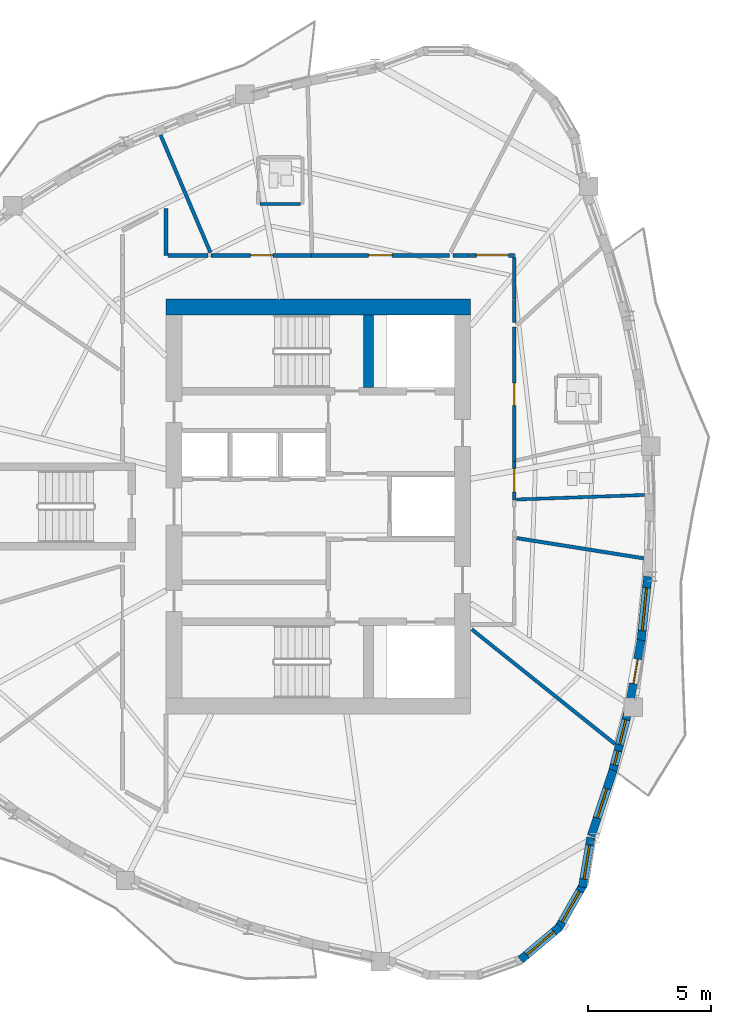
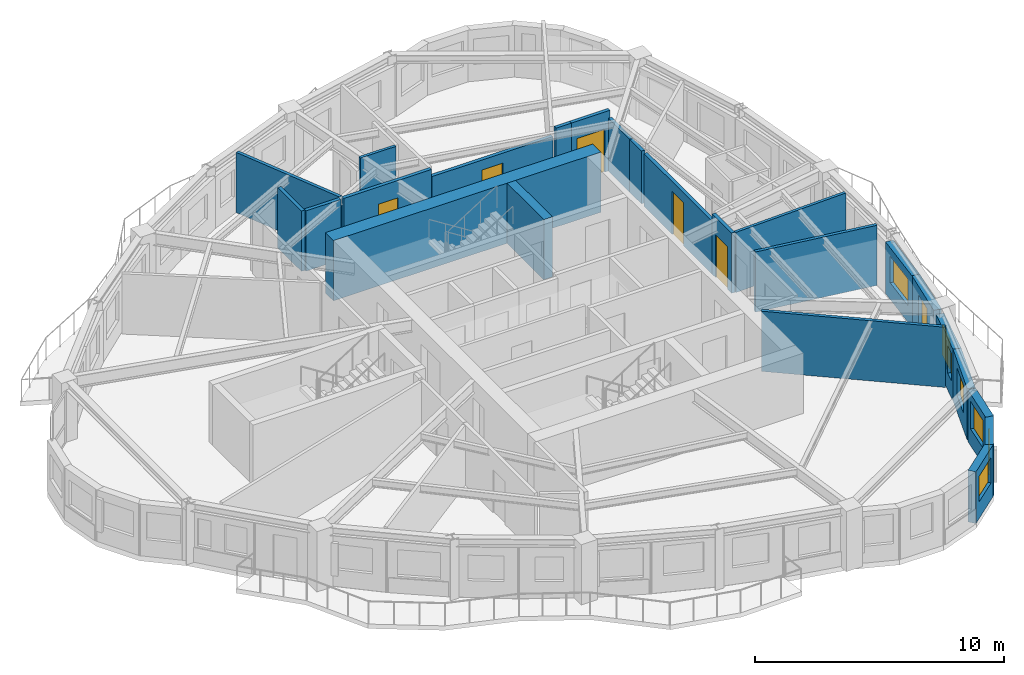
# One storey, part 7 of 13: 24 walls, 7 windows, 6 doors, 13 openings.
"""IFC4 building model written with IfcOpenShell, lengths in metres."""

from ifc_helpers import new_model, si_unit, direction, frame, frame_2d, origin, place, context, subcontext, project, spatial, rectangle, extrude, source, transform, mapped, material, layer, layer_set, type_object, element, fill, save


model = new_model("IFC4")

# Units and contexts
model_context = context("Model", 3, precision=1e-05, world=origin(), true_north=direction((0.0, 1.0)))
body_context = subcontext(model_context, "Body", "Model", "MODEL_VIEW")
ifc_project = project(units=[si_unit("LENGTHUNIT", "METRE"), si_unit("AREAUNIT", "SQUARE_METRE"), si_unit("VOLUMEUNIT", "CUBIC_METRE"), si_unit("PLANEANGLEUNIT", "RADIAN"), si_unit("MASSUNIT", "GRAM", prefix="KILO")], contexts=[model_context])

# Site, building, storey
site_placement = place(None, origin())
site = spatial("IfcSite", under=ifc_project, at=site_placement, CompositionType="ELEMENT")
building_placement = place(site_placement, origin())
building = spatial("IfcBuilding", under=site, at=building_placement, Name="Qafzar Sky-Pleat Residences", CompositionType="ELEMENT")
storey_placement = place(building_placement, frame((0.0, 0.0, 136.199951171875)))
storey = spatial("IfcBuildingStorey", under=building, at=storey_placement, Name="L40", CompositionType="ELEMENT", Elevation=136.199951171875)

# Wall, opening, door
ifc_material_1 = material(Name="Acoustic gypsum plasterboard partition", Category="gypsum")
ifc_layer_1 = layer(ifc_material_1, 0.159912109375)
ifc_layer_set_1 = layer_set([ifc_layer_1], Name="Acoustic gypsum plasterboard partition")
wall_type_1 = type_object("IfcWallType", Name="PART-COR-160", PredefinedType="PARTITIONING", material=ifc_layer_set_1)
wall_1_placement = place(storey_placement, frame((30.077880859375, 36.22998046875, 0.0), z_axis=(0.0, 0.0, 1.0), x_axis=(1.0, 0.0, 0.0)))
wall_1 = element("IfcWall", 1, at=wall_1_placement, inside=storey, type_object=wall_type_1, Name="L40 Partition Wall PART-L40-PW-002", PredefinedType="PARTITIONING", context=body_context, shape_type="SweptSolid", body=[
    extrude(rectangle(XDim=5.608154296875, YDim=0.159912109375, at=frame_2d((2.80419921875, 0.0))), origin(), (0.0, 0.0, 1.0), 2.588134765625),
])
opening_1_placement = place(wall_1_placement, frame((2.322998046875, 0.0, 0.0)))
opening_1 = element("IfcOpeningElement", 2, at=opening_1_placement, cuts=wall_1, Name="Opening ID-06", PredefinedType="OPENING", context=body_context, shape_type="SweptSolid", body=[
    extrude(rectangle(XDim=0.9599609375, YDim=2.10009765625, at=frame_2d((0.47998046875, 1.050048828125))), frame((0.0, 0.08984375, 0.0), z_axis=(0.0, -1.0, 0.0), x_axis=(1.0, 0.0, 0.0)), (0.0, 0.0, 1.0), 0.179931640625),
])
ifc_material_2 = material(Name="Timber-faced fire door", Category="wood")
door_type_1 = type_object("IfcDoorType", Name="DR-STD-960", OperationType="NOTDEFINED", PredefinedType="DOOR", material=ifc_material_2)
shared_shape_1 = source(origin(), body_context, "Body", "SweptSolid", [
    extrude(rectangle(XDim=0.9599609375, YDim=2.10009765625, at=frame_2d((0.47998046875, 1.050048828125))), frame((0.0, 0.02490234375, 0.0), z_axis=(0.0, -1.0, 0.0), x_axis=(1.0, 0.0, 0.0)), (0.0, 0.0, 1.0), 0.050048828125),
])
door_1_placement = place(opening_1_placement, origin())
door_1 = element("IfcDoor", 3, at=door_1_placement, inside=storey, type_object=door_type_1, Name="L40 Reading Library Door", OperationType="SINGLE_SWING_LEFT", OverallHeight=2.10009765625, OverallWidth=0.9599609375, PredefinedType="DOOR", context=body_context, shape_type="MappedRepresentation", body=[
    mapped(shared_shape_1, transform((0.0, 0.0, 0.0), x_axis=(1.0, 0.0, 0.0), y_axis=(0.0, 1.0, 0.0), z_axis=(0.0, 0.0, 1.0), scale=1.0)),
])
fill(opening_1, door_1)

wall_2_placement = place(storey_placement, frame((38.330078125, 33.302001953125, 0.0), z_axis=(0.0, 0.0, 1.0), x_axis=(0.0, -1.0, 0.0)))
wall_2 = element("IfcWall", 4, at=wall_2_placement, inside=storey, type_object=wall_type_1, Name="L40 Partition Wall PART-L40-PW-003", PredefinedType="PARTITIONING", context=body_context, shape_type="SweptSolid", body=[
    extrude(rectangle(XDim=5.4619140625, YDim=0.159912109375, at=frame_2d((2.73095703125, 0.0))), origin(), (0.0, 0.0, 1.0), 2.588134765625),
])
opening_2_placement = place(wall_2_placement, frame((2.27294921875, 0.0, 0.0)))
opening_2 = element("IfcOpeningElement", 5, at=opening_2_placement, cuts=wall_2, Name="Opening ID-04", PredefinedType="OPENING", context=body_context, shape_type="SweptSolid", body=[
    extrude(rectangle(XDim=0.919921875, YDim=2.10009765625, at=frame_2d((0.4599609375, 1.050048828125))), frame((0.0, 0.08984375, 0.0), z_axis=(0.0, -1.0, 0.0), x_axis=(1.0, 0.0, 0.0)), (0.0, 0.0, 1.0), 0.179931640625),
])
door_type_2 = type_object("IfcDoorType", Name="DR-BED-920", OperationType="NOTDEFINED", PredefinedType="DOOR", material=ifc_material_2)
shared_shape_2 = source(origin(), body_context, "Body", "SweptSolid", [
    extrude(rectangle(XDim=0.919921875, YDim=2.10009765625, at=frame_2d((0.4599609375, 1.050048828125))), frame((0.0, 0.02490234375, 0.0), z_axis=(0.0, -1.0, 0.0), x_axis=(1.0, 0.0, 0.0)), (0.0, 0.0, 1.0), 0.050048828125),
])
door_2_placement = place(opening_2_placement, origin())
door_2 = element("IfcDoor", 6, at=door_2_placement, inside=storey, type_object=door_type_2, Name="L40 Co-Living Bedroom 1 Door", OperationType="SINGLE_SWING_RIGHT", OverallHeight=2.10009765625, OverallWidth=0.919921875, PredefinedType="DOOR", context=body_context, shape_type="MappedRepresentation", body=[
    mapped(shared_shape_2, transform((0.0, 0.0, 0.0), x_axis=(1.0, 0.0, 0.0), y_axis=(0.0, 1.0, 0.0), z_axis=(0.0, 0.0, 1.0), scale=1.0)),
])
fill(opening_2, door_2)

wall_3_placement = place(storey_placement, frame((25.989990234375, 36.22998046875, 0.0), z_axis=(0.0, 0.0, 1.0), x_axis=(1.0, 0.0, 0.0)))
wall_3 = element("IfcWall", 7, at=wall_3_placement, inside=storey, type_object=wall_type_1, Name="L40 Partition Wall PART-L40-PW-004", PredefinedType="PARTITIONING", context=body_context, shape_type="SweptSolid", body=[
    extrude(rectangle(XDim=4.072998046875, YDim=0.159912109375, at=frame_2d((2.03662109375, 0.0))), origin(), (0.0, 0.0, 1.0), 2.949951171875),
])
opening_3_placement = place(wall_3_placement, frame((1.599609375, 0.0, 0.0)))
opening_3 = element("IfcOpeningElement", 8, at=opening_3_placement, cuts=wall_3, Name="Opening ID-04", PredefinedType="OPENING", context=body_context, shape_type="SweptSolid", body=[
    extrude(rectangle(XDim=0.919921875, YDim=2.10009765625, at=frame_2d((0.4599609375, 1.050048828125))), frame((0.0, 0.08984375, 0.0), z_axis=(0.0, -1.0, 0.0), x_axis=(1.0, 0.0, 0.0)), (0.0, 0.0, 1.0), 0.179931640625),
])
door_3_placement = place(opening_3_placement, origin())
door_3 = element("IfcDoor", 9, at=door_3_placement, inside=storey, type_object=door_type_2, Name="L40 Co-Living Bedroom 2 Door", OperationType="SINGLE_SWING_LEFT", OverallHeight=2.10009765625, OverallWidth=0.919921875, PredefinedType="DOOR", context=body_context, shape_type="MappedRepresentation", body=[
    mapped(shared_shape_2, transform((0.0, 0.0, 0.0), x_axis=(1.0, 0.0, 0.0), y_axis=(0.0, 1.0, 0.0), z_axis=(0.0, 0.0, 1.0), scale=1.0)),
])
fill(opening_3, door_3)

wall_4_placement = place(storey_placement, frame((36.550048828125, 36.22998046875, 0.0), z_axis=(0.0, 0.0, 1.0), x_axis=(1.0, 0.0, 0.0)))
wall_4 = element("IfcWall", 10, at=wall_4_placement, inside=storey, type_object=wall_type_1, Name="L40 Partition Wall PART-L40-PW-011", PredefinedType="PARTITIONING", context=body_context, shape_type="SweptSolid", body=[
    extrude(rectangle(XDim=1.780029296875, YDim=0.159912109375, at=frame_2d((0.89013671875, 0.0))), origin(), (0.0, 0.0, 1.0), 2.949951171875),
])
opening_4_placement = place(wall_4_placement, frame((0.239990234375, 0.0, 0.0)))
opening_4 = element("IfcOpeningElement", 11, at=opening_4_placement, cuts=wall_4, Name="Opening ID-05", PredefinedType="OPENING", context=body_context, shape_type="SweptSolid", body=[
    extrude(rectangle(XDim=1.300048828125, YDim=2.10009765625, at=frame_2d((0.64990234375, 1.050048828125))), frame((0.0, 0.08984375, 0.0), z_axis=(0.0, -1.0, 0.0), x_axis=(1.0, 0.0, 0.0)), (0.0, 0.0, 1.0), 0.179931640625),
])
door_type_3 = type_object("IfcDoorType", Name="DR-LNG-1300", OperationType="DOUBLE_DOOR_SINGLE_SWING", PredefinedType="DOOR", material=ifc_material_2)
shared_shape_3 = source(origin(), body_context, "Body", "SweptSolid", [
    extrude(rectangle(XDim=1.300048828125, YDim=2.10009765625, at=frame_2d((0.64990234375, 1.050048828125))), frame((0.0, 0.02490234375, 0.0), z_axis=(0.0, -1.0, 0.0), x_axis=(1.0, 0.0, 0.0)), (0.0, 0.0, 1.0), 0.050048828125),
])
door_4_placement = place(opening_4_placement, origin())
door_4 = element("IfcDoor", 12, at=door_4_placement, inside=storey, type_object=door_type_3, Name="L40 Communal Kitchen Door", OperationType="DOUBLE_DOOR_SINGLE_SWING", OverallHeight=2.10009765625, OverallWidth=1.300048828125, PredefinedType="DOOR", context=body_context, shape_type="MappedRepresentation", body=[
    mapped(shared_shape_3, transform((0.0, 0.0, 0.0), x_axis=(1.0, 0.0, 0.0), y_axis=(0.0, 1.0, 0.0), z_axis=(0.0, 0.0, 1.0), scale=1.0)),
])
fill(opening_4, door_4)

wall_5_placement = place(storey_placement, frame((38.330078125, 27.824951171875, 0.0), z_axis=(0.0, 0.0, 1.0), x_axis=(0.0, -1.0, 0.0)))
wall_5 = element("IfcWall", 13, at=wall_5_placement, inside=storey, type_object=wall_type_1, Name="L40 Partition Wall PART-L40-PW-012", PredefinedType="PARTITIONING", context=body_context, shape_type="SweptSolid", body=[
    extrude(rectangle(XDim=1.557861328125, YDim=0.159912109375, at=frame_2d((0.77880859375, 0.0))), origin(), (0.0, 0.0, 1.0), 2.949951171875),
])
opening_5_placement = place(wall_5_placement, frame((0.281005859375, 0.0, 0.0)))
opening_5 = element("IfcOpeningElement", 14, at=opening_5_placement, cuts=wall_5, Name="Opening ID-08", PredefinedType="OPENING", context=body_context, shape_type="SweptSolid", body=[
    extrude(rectangle(XDim=0.949951171875, YDim=2.10009765625, at=frame_2d((0.47509765625, 1.050048828125))), frame((0.0, 0.08984375, 0.0), z_axis=(0.0, -1.0, 0.0), x_axis=(1.0, 0.0, 0.0)), (0.0, 0.0, 1.0), 0.179931640625),
])
door_type_4 = type_object("IfcDoorType", Name="DR-AWC-950", OperationType="NOTDEFINED", PredefinedType="DOOR", material=ifc_material_2)
shared_shape_4 = source(origin(), body_context, "Body", "SweptSolid", [
    extrude(rectangle(XDim=0.949951171875, YDim=2.10009765625, at=frame_2d((0.47509765625, 1.050048828125))), frame((0.0, 0.02490234375, 0.0), z_axis=(0.0, -1.0, 0.0), x_axis=(1.0, 0.0, 0.0)), (0.0, 0.0, 1.0), 0.050048828125),
])
door_5_placement = place(opening_5_placement, origin())
door_5 = element("IfcDoor", 15, at=door_5_placement, inside=storey, type_object=door_type_4, Name="L40 Accessible Shared Washroom Door", OperationType="SINGLE_SWING_LEFT", OverallHeight=2.10009765625, OverallWidth=0.949951171875, PredefinedType="DOOR", context=body_context, shape_type="MappedRepresentation", body=[
    mapped(shared_shape_4, transform((0.0, 0.0, 0.0), x_axis=(1.0, 0.0, 0.0), y_axis=(0.0, 1.0, 0.0), z_axis=(0.0, 0.0, 1.0), scale=1.0)),
])
fill(opening_5, door_5)

# Walls
wall_6_placement = place(storey_placement, frame((24.14990234375, 36.22998046875, 0.0), z_axis=(0.0, 0.0, 1.0), x_axis=(0.0, 1.0, 0.0)))
element("IfcWall", 16, at=wall_6_placement, inside=storey, type_object=wall_type_1, Name="L40 Partition Wall PART-L40-PW-026", PredefinedType="PARTITIONING", context=body_context, shape_type="SweptSolid", body=[
    extrude(rectangle(XDim=1.906005859375, YDim=0.159912109375, at=frame_2d((0.953125, 0.0))), origin(), (0.0, 0.0, 1.0), 2.949951171875),
])
wall_7_placement = place(storey_placement, frame((24.238037109375, 36.22998046875, 0.0), z_axis=(0.0, 0.0, 1.0), x_axis=(1.0, 0.0, 0.0)))
element("IfcWall", 17, at=wall_7_placement, inside=storey, type_object=wall_type_1, Name="L40 Partition Wall PART-L40-PW-029", PredefinedType="PARTITIONING", context=body_context, shape_type="SweptSolid", body=[
    extrude(rectangle(XDim=1.6162109375, YDim=0.159912109375, at=frame_2d((0.80810546875, 0.0))), origin(), (0.0, 0.0, 1.0), 2.949951171875),
])
wall_8_placement = place(storey_placement, frame((38.330078125, 34.449951171875, 0.0), z_axis=(0.0, 0.0, 1.0), x_axis=(0.0, 1.0, 0.0)))
element("IfcWall", 18, at=wall_8_placement, inside=storey, type_object=wall_type_1, Name="L40 Partition Wall PART-L40-PW-035", PredefinedType="PARTITIONING", context=body_context, shape_type="SweptSolid", body=[
    extrude(rectangle(XDim=1.692138671875, YDim=0.159912109375, at=frame_2d((0.84619140625, 0.0))), origin(), (0.0, 0.0, 1.0), 2.588134765625),
])
wall_9_placement = place(storey_placement, frame((38.330078125, 33.49609375, 0.0), z_axis=(0.0, 0.0, 1.0), x_axis=(0.0, 1.0, 0.0)))
element("IfcWall", 19, at=wall_9_placement, inside=storey, type_object=wall_type_1, Name="L40 Partition Wall PART-L40-PW-039", PredefinedType="PARTITIONING", context=body_context, shape_type="SweptSolid", body=[
    extrude(rectangle(XDim=0.93896484375, YDim=0.159912109375, at=frame_2d((0.469482421875, 0.0))), origin(), (0.0, 0.0, 1.0), 2.588134765625),
])
wall_10_placement = place(storey_placement, frame((35.832275390625, 36.22998046875, 0.0), z_axis=(0.0, 0.0, 1.0), x_axis=(1.0, 0.0, 0.0)))
element("IfcWall", 20, at=wall_10_placement, inside=storey, type_object=wall_type_1, Name="L40 Partition Wall PART-L40-PW-041", PredefinedType="PARTITIONING", context=body_context, shape_type="SweptSolid", body=[
    extrude(rectangle(XDim=0.70263671875, YDim=0.159912109375, at=frame_2d((0.351318359375, 0.0))), origin(), (0.0, 0.0, 1.0), 2.949951171875),
])
ifc_layer_2 = layer(ifc_material_1, 0.14501953125)
ifc_layer_set_2 = layer_set([ifc_layer_2], Name="Acoustic gypsum plasterboard partition")
wall_type_2 = type_object("IfcWallType", Name="PART-UNIT-145", PredefinedType="PARTITIONING", material=ifc_layer_set_2)
wall_11_placement = place(storey_placement, frame((36.6015625, 20.99658203125, 0.0), z_axis=(0.0, 0.0, 1.0), x_axis=(0.780696683128, -0.624910144703, 0.0)))
element("IfcWall", 21, at=wall_11_placement, inside=storey, type_object=wall_type_2, Name="L40 Partition Wall PART-L40-PW-018", PredefinedType="PARTITIONING", context=body_context, shape_type="SweptSolid", body=[
    extrude(rectangle(XDim=7.4736328125, YDim=0.14501953125, at=frame_2d((3.73681640625, 0.0))), origin(), (0.0, 0.0, 1.0), 2.949951171875),
])
wall_12_placement = place(storey_placement, frame((38.42919921875, 24.714111328125, 0.0), z_axis=(0.0, 0.0, 1.0), x_axis=(0.987561894046, -0.157230739454, 0.0)))
element("IfcWall", 22, at=wall_12_placement, inside=storey, type_object=wall_type_2, Name="L40 Partition Wall PART-L40-PW-020", PredefinedType="PARTITIONING", context=body_context, shape_type="SweptSolid", body=[
    extrude(rectangle(XDim=5.239013671875, YDim=0.14501953125, at=frame_2d((2.61962890625, 0.0))), origin(), (0.0, 0.0, 1.0), 2.949951171875),
])
wall_13_placement = place(storey_placement, frame((23.92724609375, 41.126953125, 0.0), z_axis=(0.0, 0.0, 1.0), x_axis=(0.39073452171, -0.920503413108, 0.0)))
element("IfcWall", 23, at=wall_13_placement, inside=storey, type_object=wall_type_2, Name="L40 Partition Wall PART-L40-PW-021", PredefinedType="PARTITIONING", context=body_context, shape_type="SweptSolid", body=[
    extrude(rectangle(XDim=5.194091796875, YDim=0.14501953125, at=frame_2d((2.59716796875, 0.0))), origin(), (0.0, 0.0, 1.0), 2.949951171875),
])
ifc_material_3 = material(Name="Moisture-resistant gypsum partition", Category="gypsum")
ifc_layer_3 = layer(ifc_material_3, 0.1298828125)
ifc_layer_set_3 = layer_set([ifc_layer_3], Name="Moisture-resistant gypsum partition")
wall_type_3 = type_object("IfcWallType", Name="PART-WET-130", PredefinedType="PARTITIONING", material=ifc_layer_set_3)
wall_14_placement = place(storey_placement, frame((38.42041015625, 26.28515625, 0.0), z_axis=(0.0, 0.0, 1.0), x_axis=(0.999370581131, 0.03547452002, 0.0)))
element("IfcWall", 24, at=wall_14_placement, inside=storey, type_object=wall_type_3, Name="L40 Partition Wall PART-L40-PW-022", PredefinedType="PARTITIONING", context=body_context, shape_type="SweptSolid", body=[
    extrude(rectangle(XDim=5.216552734375, YDim=0.1298828125, at=frame_2d((2.6083984375, 0.0))), origin(), (0.0, 0.0, 1.0), 2.949951171875),
])
wall_15_placement = place(storey_placement, frame((27.97900390625, 38.324951171875, 0.0), z_axis=(0.0, 0.0, 1.0), x_axis=(1.0, 0.0, 0.0)))
element("IfcWall", 25, at=wall_15_placement, inside=storey, type_object=wall_type_3, Name="L40 Partition Wall PART-L40-PW-033", PredefinedType="PARTITIONING", context=body_context, shape_type="SweptSolid", body=[
    extrude(rectangle(XDim=1.654052734375, YDim=0.1298828125, at=frame_2d((0.8271484375, 0.0))), origin(), (0.0, 0.0, 1.0), 2.949951171875),
])

# Wall, opening, window
ifc_material_4 = material(Name="Precast concrete C40/50 with honed Riyadh limestone", Category="concrete")
ifc_layer_4 = layer(ifc_material_4, 0.340087890625)
ifc_layer_set_4 = layer_set([ifc_layer_4], Name="Precast concrete C40/50 with honed Riyadh limestone")
wall_type_4 = type_object("IfcWallType", Name="WALL-EXT-340", PredefinedType="SOLIDWALL", material=ifc_layer_set_4)
wall_16_placement = place(storey_placement, frame((38.582763671875, 7.53564453125, 0.0), z_axis=(0.0, 0.0, 1.0), x_axis=(0.76506129474, 0.643957463883, 0.0)))
wall_16 = element("IfcWall", 26, at=wall_16_placement, inside=storey, type_object=wall_type_4, Name="L40 Limestone Facade Wall 20", PredefinedType="SOLIDWALL", context=body_context, shape_type="SweptSolid", body=[
    extrude(rectangle(XDim=2.108642578125, YDim=0.340087890625, at=frame_2d((1.05419921875, 0.0))), origin(), (0.0, 0.0, 1.0), 2.530029296875),
])
opening_6_placement = place(wall_16_placement, frame((0.329345703125, 0.0, 0.820068359375)))
opening_6 = element("IfcOpeningElement", 27, at=opening_6_placement, cuts=wall_16, Name="Opening WN-15", PredefinedType="OPENING", context=body_context, shape_type="SweptSolid", body=[
    extrude(rectangle(XDim=1.449951171875, YDim=1.25, at=frame_2d((0.72509765625, 0.625))), frame((0.0, 0.18017578125, 0.0), z_axis=(0.0, -1.0, 0.0), x_axis=(1.0, 0.0, 0.0)), (0.0, 0.0, 1.0), 0.360107421875),
])
ifc_material_5 = material(Name="Solar-control low-E glass in bronze aluminium frame", Category="glass")
window_type_1 = type_object("IfcWindowType", Name="WIN-15", PartitioningType="SINGLE_PANEL", PredefinedType="WINDOW", material=ifc_material_5)
shared_shape_5 = source(origin(), body_context, "Body", "SweptSolid", [
    extrude(rectangle(XDim=1.449951171875, YDim=1.25, at=frame_2d((0.72509765625, 0.625))), frame((0.0, 0.030029296875, 0.0), z_axis=(0.0, -1.0, 0.0), x_axis=(1.0, 0.0, 0.0)), (0.0, 0.0, 1.0), 0.06005859375),
])
window_1_placement = place(opening_6_placement, origin())
window_1 = element("IfcWindow", 28, at=window_1_placement, inside=storey, type_object=window_type_1, Name="L40 Punched Facade Window 20", OverallHeight=1.25, OverallWidth=1.449951171875, PartitioningType="SINGLE_PANEL", PredefinedType="WINDOW", context=body_context, shape_type="MappedRepresentation", body=[
    mapped(shared_shape_5, transform((0.0, 0.0, 0.0), x_axis=(1.0, 0.0, 0.0), y_axis=(0.0, 1.0, 0.0), z_axis=(0.0, 0.0, 1.0), scale=1.0)),
])
fill(opening_6, window_1)

wall_17_placement = place(storey_placement, frame((40.10986328125, 8.790283203125, 0.0), z_axis=(0.0, 0.0, 1.0), x_axis=(0.495852152567, 0.868406956901, 0.0)))
wall_17 = element("IfcWall", 29, at=wall_17_placement, inside=storey, type_object=wall_type_4, Name="L40 Limestone Facade Wall 21", PredefinedType="SOLIDWALL", context=body_context, shape_type="SweptSolid", body=[
    extrude(rectangle(XDim=2.10888671875, YDim=0.340087890625, at=frame_2d((1.054443359375, 0.0))), origin(), (0.0, 0.0, 1.0), 2.530029296875),
])
opening_7_placement = place(wall_17_placement, frame((0.329345703125, 0.0, 0.820068359375)))
opening_7 = element("IfcOpeningElement", 30, at=opening_7_placement, cuts=wall_17, Name="Opening WN-15", PredefinedType="OPENING", context=body_context, shape_type="SweptSolid", body=[
    extrude(rectangle(XDim=1.449951171875, YDim=1.25, at=frame_2d((0.72509765625, 0.625))), frame((0.0, 0.18017578125, 0.0), z_axis=(0.0, -1.0, 0.0), x_axis=(1.0, 0.0, 0.0)), (0.0, 0.0, 1.0), 0.360107421875),
])
window_2_placement = place(opening_7_placement, origin())
window_2 = element("IfcWindow", 31, at=window_2_placement, inside=storey, type_object=window_type_1, Name="L40 Punched Facade Window 21", OverallHeight=1.25, OverallWidth=1.449951171875, PartitioningType="SINGLE_PANEL", PredefinedType="WINDOW", context=body_context, shape_type="MappedRepresentation", body=[
    mapped(shared_shape_5, transform((0.0, 0.0, 0.0), x_axis=(1.0, 0.0, 0.0), y_axis=(0.0, 1.0, 0.0), z_axis=(0.0, 0.0, 1.0), scale=1.0)),
])
fill(opening_7, window_2)

wall_18_placement = place(storey_placement, frame((41.1103515625, 10.4951171875, 0.0), z_axis=(0.0, 0.0, 1.0), x_axis=(0.165731018204, 0.9861709941, 0.0)))
wall_18 = element("IfcWall", 32, at=wall_18_placement, inside=storey, type_object=wall_type_4, Name="L40 Limestone Facade Wall 22", PredefinedType="SOLIDWALL", context=body_context, shape_type="SweptSolid", body=[
    extrude(rectangle(XDim=2.050537109375, YDim=0.340087890625, at=frame_2d((1.025390625, 0.0))), origin(), (0.0, 0.0, 1.0), 2.530029296875),
])
opening_8_placement = place(wall_18_placement, frame((0.335205078125, 0.0, 0.820068359375)))
opening_8 = element("IfcOpeningElement", 33, at=opening_8_placement, cuts=wall_18, Name="Opening WN-10", PredefinedType="OPENING", context=body_context, shape_type="SweptSolid", body=[
    extrude(rectangle(XDim=1.39990234375, YDim=1.35009765625, at=frame_2d((0.699951171875, 0.675048828125))), frame((0.0, 0.18017578125, 0.0), z_axis=(0.0, -1.0, 0.0), x_axis=(1.0, 0.0, 0.0)), (0.0, 0.0, 1.0), 0.360107421875),
])
window_type_2 = type_object("IfcWindowType", Name="WIN-10", PartitioningType="SINGLE_PANEL", PredefinedType="WINDOW", material=ifc_material_5)
shared_shape_6 = source(origin(), body_context, "Body", "SweptSolid", [
    extrude(rectangle(XDim=1.39990234375, YDim=1.35009765625, at=frame_2d((0.699951171875, 0.675048828125))), frame((0.0, 0.030029296875, 0.0), z_axis=(0.0, -1.0, 0.0), x_axis=(1.0, 0.0, 0.0)), (0.0, 0.0, 1.0), 0.06005859375),
])
window_3_placement = place(opening_8_placement, origin())
window_3 = element("IfcWindow", 34, at=window_3_placement, inside=storey, type_object=window_type_2, Name="L40 Punched Facade Window 22", OverallHeight=1.35009765625, OverallWidth=1.39990234375, PartitioningType="SINGLE_PANEL", PredefinedType="WINDOW", context=body_context, shape_type="MappedRepresentation", body=[
    mapped(shared_shape_6, transform((0.0, 0.0, 0.0), x_axis=(1.0, 0.0, 0.0), y_axis=(0.0, 1.0, 0.0), z_axis=(0.0, 0.0, 1.0), scale=1.0)),
])
fill(opening_8, window_3)

wall_19_placement = place(storey_placement, frame((41.466064453125, 12.581298828125, 0.0), z_axis=(0.0, 0.0, 1.0), x_axis=(0.314540836259, 0.949243942475, 0.0)))
wall_19 = element("IfcWall", 35, at=wall_19_placement, inside=storey, type_object=wall_type_4, Name="L40 Limestone Facade Wall 23", PredefinedType="SOLIDWALL", context=body_context, shape_type="SweptSolid", body=[
    extrude(rectangle(XDim=2.822998046875, YDim=0.340087890625, at=frame_2d((1.41162109375, 0.0))), origin(), (0.0, 0.0, 1.0), 2.530029296875),
])
opening_9_placement = place(wall_19_placement, frame((0.776611328125, 0.0, 0.820068359375)))
opening_9 = element("IfcOpeningElement", 36, at=opening_9_placement, cuts=wall_19, Name="Opening WN-11", PredefinedType="OPENING", context=body_context, shape_type="SweptSolid", body=[
    extrude(rectangle(XDim=1.25, YDim=1.35009765625, at=frame_2d((0.625, 0.675048828125))), frame((0.0, 0.18017578125, 0.0), z_axis=(0.0, -1.0, 0.0), x_axis=(1.0, 0.0, 0.0)), (0.0, 0.0, 1.0), 0.360107421875),
])
window_type_3 = type_object("IfcWindowType", Name="WIN-11", PartitioningType="SINGLE_PANEL", PredefinedType="WINDOW", material=ifc_material_5)
shared_shape_7 = source(origin(), body_context, "Body", "SweptSolid", [
    extrude(rectangle(XDim=1.25, YDim=1.35009765625, at=frame_2d((0.625, 0.675048828125))), frame((0.0, 0.030029296875, 0.0), z_axis=(0.0, -1.0, 0.0), x_axis=(1.0, 0.0, 0.0)), (0.0, 0.0, 1.0), 0.06005859375),
])
window_4_placement = place(opening_9_placement, origin())
window_4 = element("IfcWindow", 37, at=window_4_placement, inside=storey, type_object=window_type_3, Name="L40 Punched Facade Window 23", OverallHeight=1.35009765625, OverallWidth=1.25, PartitioningType="SINGLE_PANEL", PredefinedType="WINDOW", context=body_context, shape_type="MappedRepresentation", body=[
    mapped(shared_shape_7, transform((0.0, 0.0, 0.0), x_axis=(1.0, 0.0, 0.0), y_axis=(0.0, 1.0, 0.0), z_axis=(0.0, 0.0, 1.0), scale=1.0)),
])
fill(opening_9, window_4)

# Wall, openings, windows
wall_20_placement = place(storey_placement, frame((42.3291015625, 15.177001953125, 0.0), z_axis=(0.0, 0.0, 1.0), x_axis=(0.247819063092, 0.968806333571, 0.0)))
wall_20 = element("IfcWall", 38, at=wall_20_placement, inside=storey, type_object=wall_type_4, Name="L40 Limestone Facade Wall 24", PredefinedType="SOLIDWALL", context=body_context, shape_type="SweptSolid", body=[
    extrude(rectangle(XDim=2.62939453125, YDim=0.340087890625, at=frame_2d((1.314697265625, 0.0))), origin(), (0.0, 0.0, 1.0), 2.530029296875),
])
opening_10_placement = place(wall_20_placement, frame((0.315185546875, 0.0, 0.820068359375)))
opening_10 = element("IfcOpeningElement", 39, at=opening_10_placement, cuts=wall_20, Name="Opening WN-17", PredefinedType="OPENING", context=body_context, shape_type="SweptSolid", body=[
    extrude(rectangle(XDim=0.580078125, YDim=1.35009765625, at=frame_2d((0.2900390625, 0.675048828125))), frame((0.0, 0.18017578125, 0.0), z_axis=(0.0, -1.0, 0.0), x_axis=(1.0, 0.0, 0.0)), (0.0, 0.0, 1.0), 0.360107421875),
])
opening_11_placement = place(wall_20_placement, frame((1.160400390625, 0.0, 0.820068359375)))
opening_11 = element("IfcOpeningElement", 40, at=opening_11_placement, cuts=wall_20, Name="Opening WN-06", PredefinedType="OPENING", context=body_context, shape_type="SweptSolid", body=[
    extrude(rectangle(XDim=1.050048828125, YDim=1.449951171875, at=frame_2d((0.52490234375, 0.72509765625))), frame((0.0, 0.18017578125, 0.0), z_axis=(0.0, -1.0, 0.0), x_axis=(1.0, 0.0, 0.0)), (0.0, 0.0, 1.0), 0.360107421875),
])
window_type_4 = type_object("IfcWindowType", Name="WIN-17", PartitioningType="SINGLE_PANEL", PredefinedType="WINDOW", material=ifc_material_5)
shared_shape_8 = source(origin(), body_context, "Body", "SweptSolid", [
    extrude(rectangle(XDim=0.580078125, YDim=1.35009765625, at=frame_2d((0.2900390625, 0.675048828125))), frame((0.0, 0.030029296875, 0.0), z_axis=(0.0, -1.0, 0.0), x_axis=(1.0, 0.0, 0.0)), (0.0, 0.0, 1.0), 0.06005859375),
])
window_5_placement = place(opening_10_placement, origin())
window_5 = element("IfcWindow", 41, at=window_5_placement, inside=storey, type_object=window_type_4, Name="L40 Punched Facade Window 24", OverallHeight=1.35009765625, OverallWidth=0.580078125, PartitioningType="SINGLE_PANEL", PredefinedType="WINDOW", context=body_context, shape_type="MappedRepresentation", body=[
    mapped(shared_shape_8, transform((0.0, 0.0, 0.0), x_axis=(1.0, 0.0, 0.0), y_axis=(0.0, 1.0, 0.0), z_axis=(0.0, 0.0, 1.0), scale=1.0)),
])
fill(opening_10, window_5)
window_type_5 = type_object("IfcWindowType", Name="WIN-06", PartitioningType="SINGLE_PANEL", PredefinedType="WINDOW", material=ifc_material_5)
shared_shape_9 = source(origin(), body_context, "Body", "SweptSolid", [
    extrude(rectangle(XDim=1.050048828125, YDim=1.449951171875, at=frame_2d((0.52490234375, 0.72509765625))), frame((0.0, 0.030029296875, 0.0), z_axis=(0.0, -1.0, 0.0), x_axis=(1.0, 0.0, 0.0)), (0.0, 0.0, 1.0), 0.06005859375),
])
window_6_placement = place(opening_11_placement, origin())
window_6 = element("IfcWindow", 42, at=window_6_placement, inside=storey, type_object=window_type_5, Name="L40 Punched Facade Window 24-2", OverallHeight=1.449951171875, OverallWidth=1.050048828125, PartitioningType="SINGLE_PANEL", PredefinedType="WINDOW", context=body_context, shape_type="MappedRepresentation", body=[
    mapped(shared_shape_9, transform((0.0, 0.0, 0.0), x_axis=(1.0, 0.0, 0.0), y_axis=(0.0, 1.0, 0.0), z_axis=(0.0, 0.0, 1.0), scale=1.0)),
])
fill(opening_11, window_6)

# Wall, opening, door
wall_21_placement = place(storey_placement, frame((43.0439453125, 18.01513671875, 0.0), z_axis=(0.0, 0.0, 1.0), x_axis=(0.177114569603, 0.984190240367, 0.0)))
wall_21 = element("IfcWall", 43, at=wall_21_placement, inside=storey, type_object=wall_type_4, Name="L40 Limestone Facade Wall 25", PredefinedType="SOLIDWALL", context=body_context, shape_type="SweptSolid", body=[
    extrude(rectangle(XDim=2.58447265625, YDim=0.340087890625, at=frame_2d((1.292236328125, 0.0))), origin(), (0.0, 0.0, 1.0), 2.530029296875),
])
opening_12_placement = place(wall_21_placement, frame((0.792236328125, 0.0, 0.0)))
opening_12 = element("IfcOpeningElement", 44, at=opening_12_placement, cuts=wall_21, Name="Opening ED-05", PredefinedType="OPENING", context=body_context, shape_type="SweptSolid", body=[
    extrude(rectangle(XDim=1.0, YDim=2.10009765625, at=frame_2d((0.5, 1.050048828125))), frame((0.0, 0.18017578125, 0.0), z_axis=(0.0, -1.0, 0.0), x_axis=(1.0, 0.0, 0.0)), (0.0, 0.0, 1.0), 0.360107421875),
])
ifc_material_6 = material(Name="Glazed bronze aluminium door", Category="aluminium")
door_type_5 = type_object("IfcDoorType", Name="DR-BAL-1000", OperationType="NOTDEFINED", PredefinedType="DOOR", material=ifc_material_6)
shared_shape_10 = source(origin(), body_context, "Body", "SweptSolid", [
    extrude(rectangle(XDim=1.0, YDim=2.10009765625, at=frame_2d((0.5, 1.050048828125))), frame((0.0, 0.02490234375, 0.0), z_axis=(0.0, -1.0, 0.0), x_axis=(1.0, 0.0, 0.0)), (0.0, 0.0, 1.0), 0.050048828125),
])
door_6_placement = place(opening_12_placement, origin())
door_6 = element("IfcDoor", 45, at=door_6_placement, inside=storey, type_object=door_type_5, Name="L40 Glazed Balcony Door 1", OperationType="SINGLE_SWING_LEFT", OverallHeight=2.10009765625, OverallWidth=1.0, PredefinedType="DOOR", context=body_context, shape_type="MappedRepresentation", body=[
    mapped(shared_shape_10, transform((0.0, 0.0, 0.0), x_axis=(1.0, 0.0, 0.0), y_axis=(0.0, 1.0, 0.0), z_axis=(0.0, 0.0, 1.0), scale=1.0)),
])
fill(opening_12, door_6)

# Wall, opening, window
wall_22_placement = place(storey_placement, frame((43.489501953125, 20.47119140625, 0.0), z_axis=(0.0, 0.0, 1.0), x_axis=(0.103673439924, 0.99461139037, 0.0)))
wall_22 = element("IfcWall", 46, at=wall_22_placement, inside=storey, type_object=wall_type_4, Name="L40 Limestone Facade Wall 26", PredefinedType="SOLIDWALL", context=body_context, shape_type="SweptSolid", body=[
    extrude(rectangle(XDim=2.689208984375, YDim=0.340087890625, at=frame_2d((1.3447265625, 0.0))), origin(), (0.0, 0.0, 1.0), 2.530029296875),
])
opening_13_placement = place(wall_22_placement, frame((0.479736328125, 0.0, 0.820068359375)))
opening_13 = element("IfcOpeningElement", 47, at=opening_13_placement, cuts=wall_22, Name="Opening WN-14", PredefinedType="OPENING", context=body_context, shape_type="SweptSolid", body=[
    extrude(rectangle(XDim=1.75, YDim=1.300048828125, at=frame_2d((0.875, 0.64990234375))), frame((0.0, 0.18017578125, 0.0), z_axis=(0.0, -1.0, 0.0), x_axis=(1.0, 0.0, 0.0)), (0.0, 0.0, 1.0), 0.360107421875),
])
window_type_6 = type_object("IfcWindowType", Name="WIN-14", PartitioningType="DOUBLE_PANEL_VERTICAL", PredefinedType="WINDOW", material=ifc_material_5)
shared_shape_11 = source(origin(), body_context, "Body", "SweptSolid", [
    extrude(rectangle(XDim=1.75, YDim=1.300048828125, at=frame_2d((0.875, 0.64990234375))), frame((0.0, 0.030029296875, 0.0), z_axis=(0.0, -1.0, 0.0), x_axis=(1.0, 0.0, 0.0)), (0.0, 0.0, 1.0), 0.06005859375),
])
window_7_placement = place(opening_13_placement, origin())
window_7 = element("IfcWindow", 48, at=window_7_placement, inside=storey, type_object=window_type_6, Name="L40 Punched Facade Window 26", OverallHeight=1.300048828125, OverallWidth=1.75, PartitioningType="SINGLE_PANEL", PredefinedType="WINDOW", context=body_context, shape_type="MappedRepresentation", body=[
    mapped(shared_shape_11, transform((0.0, 0.0, 0.0), x_axis=(1.0, 0.0, 0.0), y_axis=(0.0, 1.0, 0.0), z_axis=(0.0, 0.0, 1.0), scale=1.0)),
])
fill(opening_13, window_7)

# Walls
ifc_material_7 = material(Name="Concrete C60/75", Category="concrete")
ifc_layer_5 = layer(ifc_material_7, 0.39990234375)
ifc_layer_set_5 = layer_set([ifc_layer_5], Name="Concrete C60/75")
wall_type_5 = type_object("IfcWallType", Name="WALL-SHEAR-400", PredefinedType="SHEAR", material=ifc_layer_set_5)
wall_23_placement = place(storey_placement, frame((32.39990234375, 30.85009765625, 0.0), z_axis=(0.0, 0.0, 1.0), x_axis=(0.0, 1.0, 0.0)))
element("IfcWall", 49, at=wall_23_placement, inside=storey, type_object=wall_type_5, Name="L40 Stair ST2 East Dividing Wall", PredefinedType="SHEAR", context=body_context, shape_type="SweptSolid", body=[
    extrude(rectangle(XDim=2.949951171875, YDim=0.39990234375, at=frame_2d((1.47509765625, 0.0))), origin(), (0.0, 0.0, 1.0), 2.949951171875),
])
ifc_layer_6 = layer(ifc_material_7, 0.64990234375)
ifc_layer_set_6 = layer_set([ifc_layer_6], Name="Concrete C60/75")
wall_type_6 = type_object("IfcWallType", Name="WALL-SHEAR-650", PredefinedType="SHEAR", material=ifc_layer_set_6)
wall_24_placement = place(storey_placement, frame((36.550048828125, 34.125, 0.0), z_axis=(0.0, 0.0, 1.0), x_axis=(-1.0, 0.0, 0.0)))
element("IfcWall", 50, at=wall_24_placement, inside=storey, type_object=wall_type_6, Name="L40 CORE wall N", PredefinedType="SHEAR", context=body_context, shape_type="SweptSolid", body=[
    extrude(rectangle(XDim=12.400146484375, YDim=0.64990234375, at=frame_2d((6.2001953125, 0.0))), origin(), (0.0, 0.0, 1.0), 2.949951171875),
])

save(model, "model.ifc")
